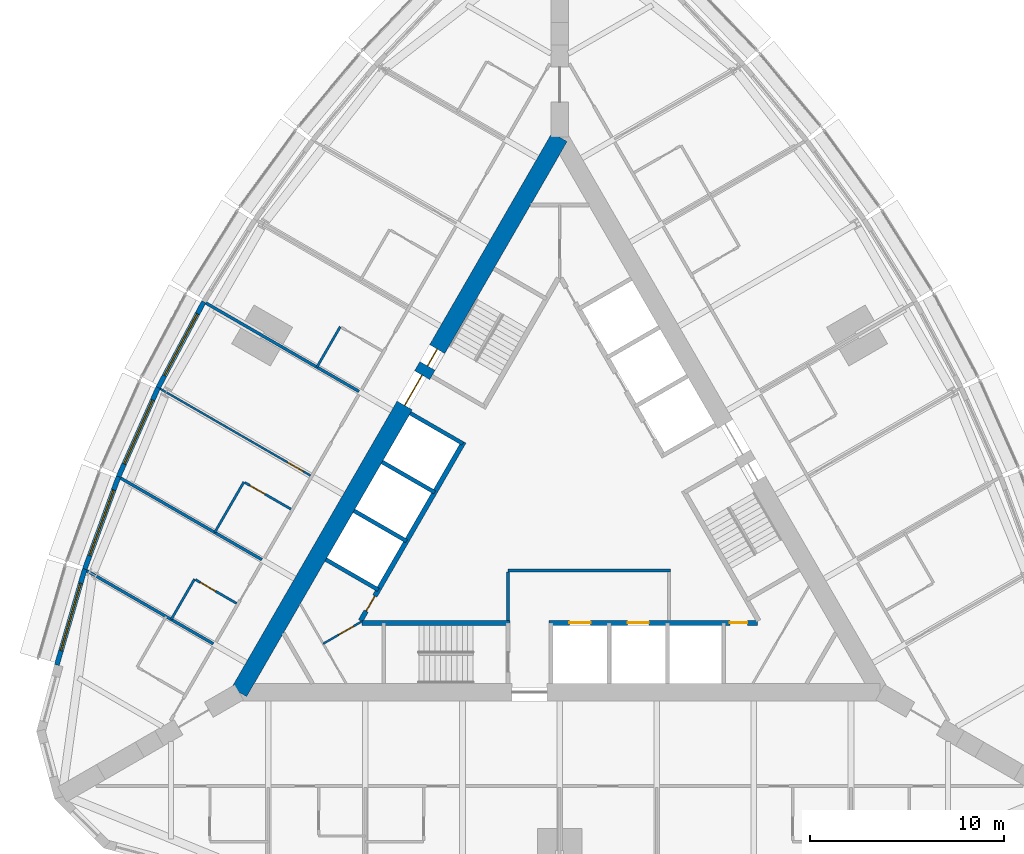
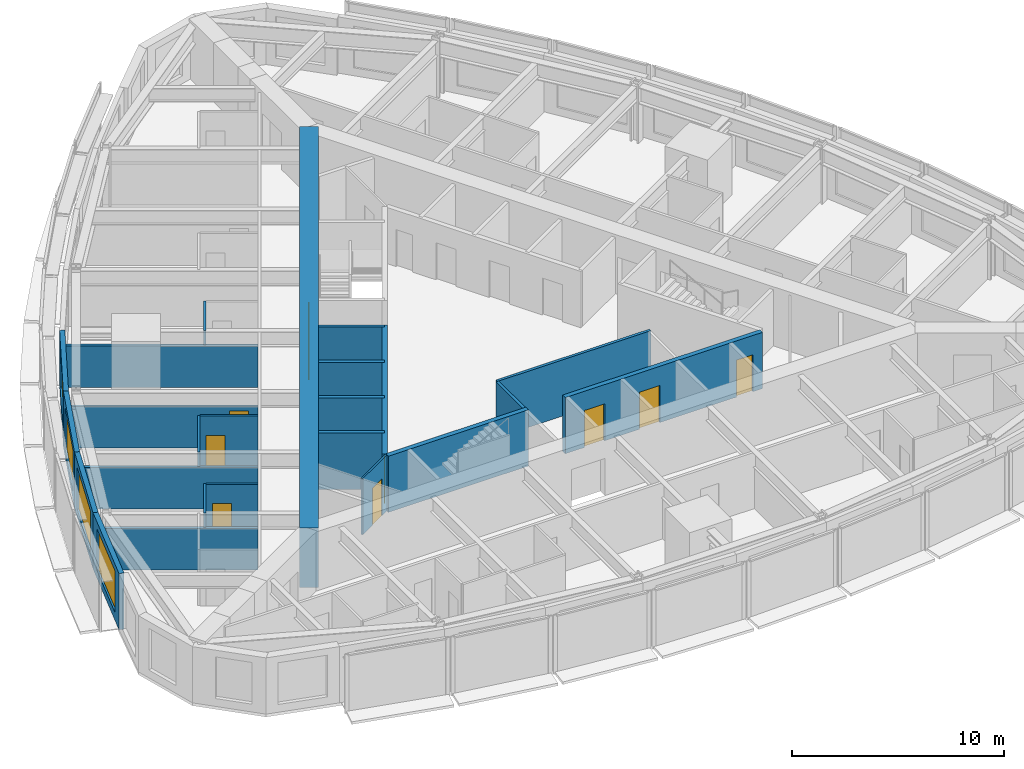
# One storey, part 9 of 14: 24 walls, 10 doors, 4 windows, 14 openings.
"""IFC4 building model written with IfcOpenShell, lengths in metres."""

from ifc_helpers import new_model, si_unit, direction, frame, frame_2d, origin, place, context, subcontext, project, spatial, rectangle, extrude, material, layer, layer_set, type_object, element, fill, save


model = new_model("IFC4")

# Units and contexts
model_context = context("Model", 3, precision=1e-05, world=origin(), true_north=direction((0.0, 1.0)))
body_context = subcontext(model_context, "Body", "Model", "MODEL_VIEW")
ifc_project = project(units=[si_unit("LENGTHUNIT", "METRE"), si_unit("AREAUNIT", "SQUARE_METRE"), si_unit("VOLUMEUNIT", "CUBIC_METRE"), si_unit("PLANEANGLEUNIT", "RADIAN"), si_unit("MASSUNIT", "GRAM", prefix="KILO")], contexts=[model_context])

# Site, building, storey
site_placement = place(None, origin())
site = spatial("IfcSite", under=ifc_project, at=site_placement, CompositionType="ELEMENT")
building_placement = place(site_placement, origin())
building = spatial("IfcBuilding", under=site, at=building_placement, Name="Trikona Tower", CompositionType="ELEMENT")
storey_placement = place(building_placement, frame((0.0, 0.0, 175.89990234375)))
storey = spatial("IfcBuildingStorey", under=building, at=storey_placement, Name="L47", CompositionType="ELEMENT", Elevation=175.89990234375)

# Walls
ifc_material_1 = material(Name="Metal stud and cement board", Category="gypsum")
ifc_layer_1 = layer(ifc_material_1, 0.1201171875)
ifc_layer_set_1 = layer_set([ifc_layer_1], Name="Bathroom wall 120")
wall_type_1 = type_object("IfcWallType", Name="Bathroom wall 120", PredefinedType="PLUMBINGWALL", material=ifc_layer_set_1)
wall_1_placement = place(storey_placement, frame((-11.29345703125, 9.29150390625, 0.0), z_axis=(0.0, 0.0, 1.0), x_axis=(-0.500001309137, -0.866024647952, 0.0)))
element("IfcWall", 1, at=wall_1_placement, inside=storey, type_object=wall_type_1, Name="Bathroom wall 4712", PredefinedType="PLUMBINGWALL", context=body_context, shape_type="SweptSolid", body=[
    extrude(rectangle(XDim=2.39990234375, YDim=0.1201171875, at=frame_2d((1.199951171875, 0.0))), origin(), (0.0, 0.0, 1.0), 3.235107421875),
])
wall_2_placement = place(storey_placement, frame((-16.25341796875, 1.301025390625, 0.0), z_axis=(0.0, 0.0, 1.0), x_axis=(-0.499990139034, -0.866031096941, 0.0)))
element("IfcWall", 2, at=wall_2_placement, inside=storey, type_object=wall_type_1, Name="Bathroom wall 4713.1", PredefinedType="PLUMBINGWALL", context=body_context, shape_type="SweptSolid", body=[
    extrude(rectangle(XDim=3.0, YDim=0.1201171875, at=frame_2d((1.5, 0.0))), origin(), (0.0, 0.0, 1.0), 3.235107421875),
])

# Wall, opening, door
wall_3_placement = place(storey_placement, frame((-13.82861328125, -0.09912109375, 0.0), z_axis=(0.0, 0.0, 1.0), x_axis=(-0.865997131366, 0.500048966069, 0.0)))
wall_3 = element("IfcWall", 3, at=wall_3_placement, inside=storey, type_object=wall_type_1, Name="Bathroom wall 4713.1", PredefinedType="PLUMBINGWALL", context=body_context, shape_type="SweptSolid", body=[
    extrude(rectangle(XDim=2.739990234375, YDim=0.1201171875, at=frame_2d((1.3701171875, 0.0))), origin(), (0.0, 0.0, 1.0), 3.235107421875),
])
opening_1_placement = place(wall_3_placement, frame((1.550048828125, 0.0, 0.0)))
opening_1 = element("IfcOpeningElement", 4, at=opening_1_placement, cuts=wall_3, Name="Opening D2", PredefinedType="OPENING", context=body_context, shape_type="SweptSolid", body=[
    extrude(rectangle(XDim=0.89990234375, YDim=2.1298828125, at=frame_2d((0.449951171875, 1.06494140625))), frame((0.0, 0.070068359375, 0.0), z_axis=(0.0, -1.0, 0.0), x_axis=(1.0, 0.0, 0.0)), (0.0, 0.0, 1.0), 0.14013671875),
])
ifc_material_2 = material(Name="Steel door frame with solid-core timber leaf", Category="steel")
door_type_1 = type_object("IfcDoorType", Name="Bathroom door 900x2130", OperationType="SLIDING_TO_LEFT", PredefinedType="DOOR", material=ifc_material_2)
door_1_placement = place(opening_1_placement, origin())
door_1 = element("IfcDoor", 5, at=door_1_placement, inside=storey, type_object=door_type_1, Name="Bathroom door 4713.1", OperationType="SLIDING_TO_LEFT", OverallHeight=2.1298828125, OverallWidth=0.89990234375, PredefinedType="DOOR", context=body_context, shape_type="SweptSolid", body=[
    extrude(rectangle(XDim=0.89990234375, YDim=2.1298828125, at=frame_2d((0.449951171875, 1.06494140625))), frame((0.0, 0.02490234375, 0.0), z_axis=(0.0, -1.0, 0.0), x_axis=(1.0, 0.0, 0.0)), (0.0, 0.0, 1.0), 0.050048828125),
])
fill(opening_1, door_1)

# Wall
wall_4_placement = place(storey_placement, frame((-18.79345703125, -3.69873046875, 0.0), z_axis=(0.0, 0.0, 1.0), x_axis=(-0.500001309137, -0.866024647952, 0.0)))
element("IfcWall", 6, at=wall_4_placement, inside=storey, type_object=wall_type_1, Name="Bathroom wall 4714", PredefinedType="PLUMBINGWALL", context=body_context, shape_type="SweptSolid", body=[
    extrude(rectangle(XDim=2.39990234375, YDim=0.1201171875, at=frame_2d((1.199951171875, 0.0))), origin(), (0.0, 0.0, 1.0), 3.235107421875),
])

# Wall, opening, door
wall_5_placement = place(storey_placement, frame((-16.62841796875, -4.94873046875, 0.0), z_axis=(0.0, 0.0, 1.0), x_axis=(-0.866048967903, 0.499959183527, 0.0)))
wall_5 = element("IfcWall", 7, at=wall_5_placement, inside=storey, type_object=wall_type_1, Name="Bathroom wall 4714", PredefinedType="PLUMBINGWALL", context=body_context, shape_type="SweptSolid", body=[
    extrude(rectangle(XDim=2.440185546875, YDim=0.1201171875, at=frame_2d((1.22021484375, 0.0))), origin(), (0.0, 0.0, 1.0), 3.235107421875),
])
opening_2_placement = place(wall_5_placement, frame((1.25, 0.0, 0.0)))
opening_2 = element("IfcOpeningElement", 8, at=opening_2_placement, cuts=wall_5, Name="Opening D2", PredefinedType="OPENING", context=body_context, shape_type="SweptSolid", body=[
    extrude(rectangle(XDim=0.89990234375, YDim=2.1298828125, at=frame_2d((0.449951171875, 1.06494140625))), frame((0.0, 0.070068359375, 0.0), z_axis=(0.0, -1.0, 0.0), x_axis=(1.0, 0.0, 0.0)), (0.0, 0.0, 1.0), 0.14013671875),
])
door_2_placement = place(opening_2_placement, origin())
door_2 = element("IfcDoor", 9, at=door_2_placement, inside=storey, type_object=door_type_1, Name="Bathroom door 4714", OperationType="SLIDING_TO_LEFT", OverallHeight=2.1298828125, OverallWidth=0.89990234375, PredefinedType="DOOR", context=body_context, shape_type="SweptSolid", body=[
    extrude(rectangle(XDim=0.89990234375, YDim=2.1298828125, at=frame_2d((0.449951171875, 1.06494140625))), frame((0.0, 0.02490234375, 0.0), z_axis=(0.0, -1.0, 0.0), x_axis=(1.0, 0.0, 0.0)), (0.0, 0.0, 1.0), 0.050048828125),
])
fill(opening_2, door_2)

# Wall, openings, doors
ifc_material_3 = material(Name="Concrete f'c 10000 psi", Category="concrete")
ifc_layer_2 = layer(ifc_material_3, 0.89990234375)
ifc_layer_set_2 = layer_set([ifc_layer_2], Name="Core wall 900")
wall_type_2 = type_object("IfcWallType", Name="Core wall 900", PredefinedType="SHEAR", material=ifc_layer_set_2)
wall_6_placement = place(storey_placement, frame((0.0, 19.052490234375, 0.0), z_axis=(0.0, 0.0, 1.0), x_axis=(-0.499999749417, -0.866025548458, 0.0)))
wall_6 = element("IfcWall", 10, at=wall_6_placement, inside=storey, type_object=wall_type_2, Name="Core wall C", PredefinedType="SHEAR", context=body_context, shape_type="SweptSolid", body=[
    extrude(rectangle(XDim=33.0, YDim=0.89990234375, at=frame_2d((16.5, 0.0))), origin(), (0.0, 0.0, 1.0), 3.400146484375),
])
opening_3_placement = place(wall_6_placement, frame((14.14990234375, 0.0, 0.0)))
opening_3 = element("IfcOpeningElement", 11, at=opening_3_placement, cuts=wall_6, Name="Opening D6", PredefinedType="OPENING", context=body_context, shape_type="SweptSolid", body=[
    extrude(rectangle(XDim=1.800048828125, YDim=2.1298828125, at=frame_2d((0.89990234375, 1.06494140625))), frame((0.0, 0.4599609375, 0.0), z_axis=(0.0, -1.0, 0.0), x_axis=(1.0, 0.0, 0.0)), (0.0, 0.0, 1.0), 0.919921875),
])
opening_4_placement = place(wall_6_placement, frame((12.60009765625, 0.0, 0.0)))
opening_4 = element("IfcOpeningElement", 12, at=opening_4_placement, cuts=wall_6, Name="Opening D5", PredefinedType="OPENING", context=body_context, shape_type="SweptSolid", body=[
    extrude(rectangle(XDim=1.0, YDim=2.1298828125, at=frame_2d((0.5, 1.06494140625))), frame((0.0, 0.4599609375, 0.0), z_axis=(0.0, -1.0, 0.0), x_axis=(1.0, 0.0, 0.0)), (0.0, 0.0, 1.0), 0.919921875),
])
ifc_material_4 = material(Name="Hollow metal door and frame", Category="steel")
door_type_2 = type_object("IfcDoorType", Name="Lobby door pair 1800x2130", OperationType="DOUBLE_DOOR_SINGLE_SWING", PredefinedType="DOOR", material=ifc_material_4)
door_3_placement = place(opening_3_placement, origin())
door_3 = element("IfcDoor", 13, at=door_3_placement, inside=storey, type_object=door_type_2, Name="Lift lobby door C", OperationType="DOUBLE_DOOR_SINGLE_SWING", OverallHeight=2.1298828125, OverallWidth=1.800048828125, PredefinedType="DOOR", context=body_context, shape_type="SweptSolid", body=[
    extrude(rectangle(XDim=1.800048828125, YDim=2.1298828125, at=frame_2d((0.89990234375, 1.06494140625))), frame((0.0, 0.02490234375, 0.0), z_axis=(0.0, -1.0, 0.0), x_axis=(1.0, 0.0, 0.0)), (0.0, 0.0, 1.0), 0.050048828125),
])
fill(opening_3, door_3)
ifc_material_5 = material(Name="Hollow metal door and frame", Category="steel")
door_type_3 = type_object("IfcDoorType", Name="Stair door 1000x2130", OperationType="SINGLE_SWING_LEFT", PredefinedType="DOOR", material=ifc_material_5)
door_4_placement = place(opening_4_placement, origin())
door_4 = element("IfcDoor", 14, at=door_4_placement, inside=storey, type_object=door_type_3, Name="Stair C door", OperationType="SINGLE_SWING_RIGHT", OverallHeight=2.1298828125, OverallWidth=1.0, PredefinedType="DOOR", context=body_context, shape_type="SweptSolid", body=[
    extrude(rectangle(XDim=1.0, YDim=2.1298828125, at=frame_2d((0.5, 1.06494140625))), frame((0.0, 0.02490234375, 0.0), z_axis=(0.0, -1.0, 0.0), x_axis=(1.0, 0.0, 0.0)), (0.0, 0.0, 1.0), 0.050048828125),
])
fill(opening_4, door_4)

# Wall
ifc_material_6 = material(Name="Concrete f'c 8000 psi", Category="concrete")
ifc_layer_3 = layer(ifc_material_6, 0.25)
ifc_layer_set_3 = layer_set([ifc_layer_3], Name="Hub wall 250")
wall_type_3 = type_object("IfcWallType", Name="Hub wall 250", PredefinedType="SOLIDWALL", material=ifc_layer_set_3)
wall_7_placement = place(storey_placement, frame((-10.182861328125, -5.951416015625, 0.0), z_axis=(0.0, 0.0, 1.0), x_axis=(1.0, 0.0, 0.0)))
element("IfcWall", 15, at=wall_7_placement, inside=storey, type_object=wall_type_3, Name="Lift lobby wall A1", PredefinedType="SOLIDWALL", context=body_context, shape_type="SweptSolid", body=[
    extrude(rectangle(XDim=7.6328125, YDim=0.25, at=frame_2d((3.81640625, 0.0))), origin(), (0.0, 0.0, 1.0), 3.235107421875),
])

# Wall, openings, doors
wall_8_placement = place(storey_placement, frame((-0.550048828125, -5.951416015625, 0.0), z_axis=(0.0, 0.0, 1.0), x_axis=(1.0, 0.0, 0.0)))
wall_8 = element("IfcWall", 16, at=wall_8_placement, inside=storey, type_object=wall_type_3, Name="Lift lobby wall A2", PredefinedType="SOLIDWALL", context=body_context, shape_type="SweptSolid", body=[
    extrude(rectangle(XDim=10.73291015625, YDim=0.25, at=frame_2d((5.366455078125, 0.0))), origin(), (0.0, 0.0, 1.0), 3.235107421875),
])
opening_5_placement = place(wall_8_placement, frame((9.31396484375, 0.0, 0.0)))
opening_5 = element("IfcOpeningElement", 17, at=opening_5_placement, cuts=wall_8, Name="Opening D14", PredefinedType="OPENING", context=body_context, shape_type="SweptSolid", body=[
    extrude(rectangle(XDim=0.89990234375, YDim=2.1298828125, at=frame_2d((0.449951171875, 1.06494140625))), frame((0.0, 0.135009765625, 0.0), z_axis=(0.0, -1.0, 0.0), x_axis=(1.0, 0.0, 0.0)), (0.0, 0.0, 1.0), 0.27001953125),
])
opening_6_placement = place(wall_8_placement, frame((1.050048828125, 0.0, 0.0)))
opening_6 = element("IfcOpeningElement", 18, at=opening_6_placement, cuts=wall_8, Name="Opening LD", PredefinedType="OPENING", context=body_context, shape_type="SweptSolid", body=[
    extrude(rectangle(XDim=1.10009765625, YDim=2.1298828125, at=frame_2d((0.550048828125, 1.06494140625))), frame((0.0, 0.135009765625, 0.0), z_axis=(0.0, -1.0, 0.0), x_axis=(1.0, 0.0, 0.0)), (0.0, 0.0, 1.0), 0.27001953125),
])
opening_7_placement = place(wall_8_placement, frame((4.050048828125, 0.0, 0.0)))
opening_7 = element("IfcOpeningElement", 19, at=opening_7_placement, cuts=wall_8, Name="Opening LD", PredefinedType="OPENING", context=body_context, shape_type="SweptSolid", body=[
    extrude(rectangle(XDim=1.10009765625, YDim=2.1298828125, at=frame_2d((0.550048828125, 1.06494140625))), frame((0.0, 0.135009765625, 0.0), z_axis=(0.0, -1.0, 0.0), x_axis=(1.0, 0.0, 0.0)), (0.0, 0.0, 1.0), 0.27001953125),
])
ifc_material_7 = material(Name="Stainless steel lift landing door", Category="steel")
door_type_4 = type_object("IfcDoorType", Name="Lift landing door 1100x2130", OperationType="DOUBLE_DOOR_SLIDING", PredefinedType="USERDEFINED", material=ifc_material_7)
door_5_placement = place(opening_6_placement, origin())
door_5 = element("IfcDoor", 20, at=door_5_placement, inside=storey, type_object=door_type_4, Name="Lift landing door FF1", ObjectType="LIFT LANDING DOOR", OperationType="DOUBLE_DOOR_SLIDING", OverallHeight=2.1298828125, OverallWidth=1.10009765625, PredefinedType="USERDEFINED", context=body_context, shape_type="SweptSolid", body=[
    extrude(rectangle(XDim=1.10009765625, YDim=2.1298828125, at=frame_2d((0.550048828125, 1.06494140625))), frame((0.0, 0.02490234375, 0.0), z_axis=(0.0, -1.0, 0.0), x_axis=(1.0, 0.0, 0.0)), (0.0, 0.0, 1.0), 0.050048828125),
])
fill(opening_6, door_5)
door_6_placement = place(opening_7_placement, origin())
door_6 = element("IfcDoor", 21, at=door_6_placement, inside=storey, type_object=door_type_4, Name="Lift landing door FF2", ObjectType="LIFT LANDING DOOR", OperationType="DOUBLE_DOOR_SLIDING", OverallHeight=2.1298828125, OverallWidth=1.10009765625, PredefinedType="USERDEFINED", context=body_context, shape_type="SweptSolid", body=[
    extrude(rectangle(XDim=1.10009765625, YDim=2.1298828125, at=frame_2d((0.550048828125, 1.06494140625))), frame((0.0, 0.02490234375, 0.0), z_axis=(0.0, -1.0, 0.0), x_axis=(1.0, 0.0, 0.0)), (0.0, 0.0, 1.0), 0.050048828125),
])
fill(opening_7, door_6)
ifc_material_8 = material(Name="Hollow metal door and frame", Category="steel")
door_type_5 = type_object("IfcDoorType", Name="Service room door 900x2130", OperationType="SINGLE_SWING_LEFT", PredefinedType="DOOR", material=ifc_material_8)
door_7_placement = place(opening_5_placement, origin())
door_7 = element("IfcDoor", 22, at=door_7_placement, inside=storey, type_object=door_type_5, Name="Door Ice and vending ICE", OperationType="SINGLE_SWING_RIGHT", OverallHeight=2.1298828125, OverallWidth=0.89990234375, PredefinedType="DOOR", context=body_context, shape_type="SweptSolid", body=[
    extrude(rectangle(XDim=0.89990234375, YDim=2.1298828125, at=frame_2d((0.449951171875, 1.06494140625))), frame((0.0, 0.02490234375, 0.0), z_axis=(0.0, -1.0, 0.0), x_axis=(1.0, 0.0, 0.0)), (0.0, 0.0, 1.0), 0.050048828125),
])
fill(opening_5, door_7)

# Wall, opening, door
wall_9_placement = place(storey_placement, frame((-4.928955078125, 3.365478515625, 0.0), z_axis=(0.0, 0.0, 1.0), x_axis=(-0.499991433582, -0.866030349552, 0.0)))
wall_9 = element("IfcWall", 23, at=wall_9_placement, inside=storey, type_object=wall_type_3, Name="Lift lobby wall C2", PredefinedType="SOLIDWALL", context=body_context, shape_type="SweptSolid", body=[
    extrude(rectangle(XDim=10.633056640625, YDim=0.25, at=frame_2d((5.31640625, 0.0))), origin(), (0.0, 0.0, 1.0), 3.235107421875),
])
opening_8_placement = place(wall_9_placement, frame((9.1640625, 0.0, 0.0)))
opening_8 = element("IfcOpeningElement", 24, at=opening_8_placement, cuts=wall_9, Name="Opening D14", PredefinedType="OPENING", context=body_context, shape_type="SweptSolid", body=[
    extrude(rectangle(XDim=0.89990234375, YDim=2.1298828125, at=frame_2d((0.449951171875, 1.06494140625))), frame((0.0, 0.135009765625, 0.0), z_axis=(0.0, -1.0, 0.0), x_axis=(1.0, 0.0, 0.0)), (0.0, 0.0, 1.0), 0.27001953125),
])
door_8_placement = place(opening_8_placement, origin())
door_8 = element("IfcDoor", 25, at=door_8_placement, inside=storey, type_object=door_type_5, Name="Door Housekeeping store HKS", OperationType="SINGLE_SWING_RIGHT", OverallHeight=2.1298828125, OverallWidth=0.89990234375, PredefinedType="DOOR", context=body_context, shape_type="SweptSolid", body=[
    extrude(rectangle(XDim=0.89990234375, YDim=2.1298828125, at=frame_2d((0.449951171875, 1.06494140625))), frame((0.0, 0.02490234375, 0.0), z_axis=(0.0, -1.0, 0.0), x_axis=(1.0, 0.0, 0.0)), (0.0, 0.0, 1.0), 0.050048828125),
])
fill(opening_8, door_8)

# Wall, opening, window
ifc_material_9 = material(Name="Insulated precast concrete spandrel panel", Category="concrete")
ifc_layer_4 = layer(ifc_material_9, 0.25)
ifc_layer_set_4 = layer_set([ifc_layer_4], Name="Inner skin wall 250")
wall_type_4 = type_object("IfcWallType", Name="Inner skin wall 250", PredefinedType="STANDARD", material=ifc_layer_set_4)
wall_10_placement = place(storey_placement, frame((-18.314453125, 10.578857421875, 0.0), z_axis=(0.0, 0.0, 1.0), x_axis=(-0.469404966864, -0.882982999317, 0.0)))
wall_10 = element("IfcWall", 26, at=wall_10_placement, inside=storey, type_object=wall_type_4, Name="External wall L47-28", PredefinedType="STANDARD", context=body_context, shape_type="SweptSolid", body=[
    extrude(rectangle(XDim=5.0029296875, YDim=0.25, at=frame_2d((2.50146484375, 0.0))), origin(), (0.0, 0.0, 1.0), 3.235107421875),
])
opening_9_placement = place(wall_10_placement, frame((0.701416015625, 0.0, 0.449951171875)))
opening_9 = element("IfcOpeningElement", 27, at=opening_9_placement, cuts=wall_10, Name="Opening W3624", PredefinedType="OPENING", context=body_context, shape_type="SweptSolid", body=[
    extrude(rectangle(XDim=3.60009765625, YDim=2.39990234375, at=frame_2d((1.800048828125, 1.199951171875))), frame((0.0, 0.135009765625, 0.0), z_axis=(0.0, -1.0, 0.0), x_axis=(1.0, 0.0, 0.0)), (0.0, 0.0, 1.0), 0.27001953125),
])
ifc_material_10 = material(Name="Aluminium-framed double glazing", Category="aluminium")
window_type = type_object("IfcWindowType", Name="Window 3600x2400", PartitioningType="SINGLE_PANEL", PredefinedType="WINDOW", material=ifc_material_10)
window_1_placement = place(opening_9_placement, origin())
window_1 = element("IfcWindow", 28, at=window_1_placement, inside=storey, type_object=window_type, Name="Window 4713", OverallHeight=2.39990234375, OverallWidth=3.60009765625, PartitioningType="SINGLE_PANEL", PredefinedType="WINDOW", context=body_context, shape_type="SweptSolid", body=[
    extrude(rectangle(XDim=3.60009765625, YDim=2.39990234375, at=frame_2d((1.800048828125, 1.199951171875))), frame((0.0, 0.030029296875, 0.0), z_axis=(0.0, -1.0, 0.0), x_axis=(1.0, 0.0, 0.0)), (0.0, 0.0, 1.0), 0.06005859375),
])
fill(opening_9, window_1)

wall_11_placement = place(storey_placement, frame((-20.6591796875, 6.169189453125, 0.0), z_axis=(0.0, 0.0, 1.0), x_axis=(-0.406832200364, -0.913502906808, 0.0)))
wall_11 = element("IfcWall", 29, at=wall_11_placement, inside=storey, type_object=wall_type_4, Name="External wall L47-29", PredefinedType="STANDARD", context=body_context, shape_type="SweptSolid", body=[
    extrude(rectangle(XDim=5.027587890625, YDim=0.25, at=frame_2d((2.513671875, 0.0))), origin(), (0.0, 0.0, 1.0), 3.235107421875),
])
opening_10_placement = place(wall_11_placement, frame((0.713623046875, 0.0, 0.449951171875)))
opening_10 = element("IfcOpeningElement", 30, at=opening_10_placement, cuts=wall_11, Name="Opening W3624", PredefinedType="OPENING", context=body_context, shape_type="SweptSolid", body=[
    extrude(rectangle(XDim=3.60009765625, YDim=2.39990234375, at=frame_2d((1.800048828125, 1.199951171875))), frame((0.0, 0.135009765625, 0.0), z_axis=(0.0, -1.0, 0.0), x_axis=(1.0, 0.0, 0.0)), (0.0, 0.0, 1.0), 0.27001953125),
])
window_2_placement = place(opening_10_placement, origin())
window_2 = element("IfcWindow", 31, at=window_2_placement, inside=storey, type_object=window_type, Name="Window 4713.1", OverallHeight=2.39990234375, OverallWidth=3.60009765625, PartitioningType="SINGLE_PANEL", PredefinedType="WINDOW", context=body_context, shape_type="SweptSolid", body=[
    extrude(rectangle(XDim=3.60009765625, YDim=2.39990234375, at=frame_2d((1.800048828125, 1.199951171875))), frame((0.0, 0.030029296875, 0.0), z_axis=(0.0, -1.0, 0.0), x_axis=(1.0, 0.0, 0.0)), (0.0, 0.0, 1.0), 0.06005859375),
])
fill(opening_10, window_2)

wall_12_placement = place(storey_placement, frame((-22.701416015625, 1.58447265625, 0.0), z_axis=(0.0, 0.0, 1.0), x_axis=(-0.343225593282, -0.939252996863, 0.0)))
wall_12 = element("IfcWall", 32, at=wall_12_placement, inside=storey, type_object=wall_type_4, Name="External wall L47-30", PredefinedType="STANDARD", context=body_context, shape_type="SweptSolid", body=[
    extrude(rectangle(XDim=5.075927734375, YDim=0.25, at=frame_2d((2.5380859375, 0.0))), origin(), (0.0, 0.0, 1.0), 3.235107421875),
])
opening_11_placement = place(wall_12_placement, frame((0.738037109375, 0.0, 0.449951171875)))
opening_11 = element("IfcOpeningElement", 33, at=opening_11_placement, cuts=wall_12, Name="Opening W3624", PredefinedType="OPENING", context=body_context, shape_type="SweptSolid", body=[
    extrude(rectangle(XDim=3.60009765625, YDim=2.39990234375, at=frame_2d((1.800048828125, 1.199951171875))), frame((0.0, 0.135009765625, 0.0), z_axis=(0.0, -1.0, 0.0), x_axis=(1.0, 0.0, 0.0)), (0.0, 0.0, 1.0), 0.27001953125),
])
window_3_placement = place(opening_11_placement, origin())
window_3 = element("IfcWindow", 34, at=window_3_placement, inside=storey, type_object=window_type, Name="Window 4714", OverallHeight=2.39990234375, OverallWidth=3.60009765625, PartitioningType="SINGLE_PANEL", PredefinedType="WINDOW", context=body_context, shape_type="SweptSolid", body=[
    extrude(rectangle(XDim=3.60009765625, YDim=2.39990234375, at=frame_2d((1.800048828125, 1.199951171875))), frame((0.0, 0.030029296875, 0.0), z_axis=(0.0, -1.0, 0.0), x_axis=(1.0, 0.0, 0.0)), (0.0, 0.0, 1.0), 0.06005859375),
])
fill(opening_11, window_3)

wall_13_placement = place(storey_placement, frame((-24.44091796875, -3.17529296875, 0.0), z_axis=(0.0, 0.0, 1.0), x_axis=(-0.279528287117, -0.960137457191, 0.0)))
wall_13 = element("IfcWall", 35, at=wall_13_placement, inside=storey, type_object=wall_type_4, Name="External wall L47-31", PredefinedType="STANDARD", context=body_context, shape_type="SweptSolid", body=[
    extrude(rectangle(XDim=5.14794921875, YDim=0.25, at=frame_2d((2.573974609375, 0.0))), origin(), (0.0, 0.0, 1.0), 3.235107421875),
])
opening_12_placement = place(wall_13_placement, frame((0.77392578125, 0.0, 0.449951171875)))
opening_12 = element("IfcOpeningElement", 36, at=opening_12_placement, cuts=wall_13, Name="Opening W3624", PredefinedType="OPENING", context=body_context, shape_type="SweptSolid", body=[
    extrude(rectangle(XDim=3.60009765625, YDim=2.39990234375, at=frame_2d((1.800048828125, 1.199951171875))), frame((0.0, 0.135009765625, 0.0), z_axis=(0.0, -1.0, 0.0), x_axis=(1.0, 0.0, 0.0)), (0.0, 0.0, 1.0), 0.27001953125),
])
window_4_placement = place(opening_12_placement, origin())
window_4 = element("IfcWindow", 37, at=window_4_placement, inside=storey, type_object=window_type, Name="Window 4715", OverallHeight=2.39990234375, OverallWidth=3.60009765625, PartitioningType="SINGLE_PANEL", PredefinedType="WINDOW", context=body_context, shape_type="SweptSolid", body=[
    extrude(rectangle(XDim=3.60009765625, YDim=2.39990234375, at=frame_2d((1.800048828125, 1.199951171875))), frame((0.0, 0.030029296875, 0.0), z_axis=(0.0, -1.0, 0.0), x_axis=(1.0, 0.0, 0.0)), (0.0, 0.0, 1.0), 0.06005859375),
])
fill(opening_12, window_4)

# Walls
ifc_material_11 = material(Name="Metal stud and gypsum board, 2-hour shaft wall", Category="gypsum")
ifc_layer_5 = layer(ifc_material_11, 0.14990234375)
ifc_layer_set_5 = layer_set([ifc_layer_5], Name="Lobby wall 150")
wall_type_5 = type_object("IfcWallType", Name="Lobby wall 150", PredefinedType="PARTITIONING", material=ifc_layer_set_5)
wall_14_placement = place(storey_placement, frame((-2.64990234375, -3.251220703125, 0.0), z_axis=(0.0, 0.0, 1.0), x_axis=(1.0, 0.0, 0.0)))
element("IfcWall", 38, at=wall_14_placement, inside=storey, type_object=wall_type_5, Name="Fire service lift lobby wall 1", PredefinedType="PARTITIONING", context=body_context, shape_type="SweptSolid", body=[
    extrude(rectangle(XDim=8.349853515625, YDim=0.14990234375, at=frame_2d((4.1748046875, 0.0))), origin(), (0.0, 0.0, 1.0), 3.235107421875),
])
wall_15_placement = place(storey_placement, frame((-2.64990234375, -5.826416015625, 0.0), z_axis=(0.0, 0.0, 1.0), x_axis=(0.0, 1.0, 0.0)))
element("IfcWall", 39, at=wall_15_placement, inside=storey, type_object=wall_type_5, Name="Fire service lift lobby wall 2", PredefinedType="PARTITIONING", context=body_context, shape_type="SweptSolid", body=[
    extrude(rectangle(XDim=2.5, YDim=0.14990234375, at=frame_2d((1.25, 0.0))), origin(), (0.0, 0.0, 1.0), 3.235107421875),
])
ifc_material_12 = material(Name="Metal stud and gypsum board, 1-hour acoustic", Category="gypsum")
ifc_layer_6 = layer(ifc_material_12, 0.14990234375)
ifc_layer_set_6 = layer_set([ifc_layer_6], Name="Party wall 150")
wall_type_6 = type_object("IfcWallType", Name="Party wall 150", PredefinedType="PARTITIONING", material=ifc_layer_set_6)
wall_16_placement = place(storey_placement, frame((-10.32861328125, 5.963134765625, 0.0), z_axis=(0.0, 0.0, 1.0), x_axis=(-0.866025170687, 0.500000403736, 0.0)))
element("IfcWall", 40, at=wall_16_placement, inside=storey, type_object=wall_type_6, Name="Partition L47 F3 u0", PredefinedType="PARTITIONING", context=body_context, shape_type="SweptSolid", body=[
    extrude(rectangle(XDim=9.0986328125, YDim=0.14990234375, at=frame_2d((4.54931640625, 0.0))), origin(), (0.0, 0.0, 1.0), 2.389404296875),
])
wall_17_placement = place(storey_placement, frame((-15.32861328125, -2.697021484375, 0.0), z_axis=(0.0, 0.0, 1.0), x_axis=(-0.866024316602, 0.50000188305, 0.0)))
element("IfcWall", 41, at=wall_17_placement, inside=storey, type_object=wall_type_6, Name="Partition L47 F3 u10", PredefinedType="PARTITIONING", context=body_context, shape_type="SweptSolid", body=[
    extrude(rectangle(XDim=8.39501953125, YDim=0.14990234375, at=frame_2d((4.197509765625, 0.0))), origin(), (0.0, 0.0, 1.0), 2.389404296875),
])
wall_18_placement = place(storey_placement, frame((-17.82861328125, -7.027099609375, 0.0), z_axis=(0.0, 0.0, 1.0), x_axis=(-0.866029804378, 0.499992377871, 0.0)))
element("IfcWall", 42, at=wall_18_placement, inside=storey, type_object=wall_type_6, Name="Partition L47 F3 u15", PredefinedType="PARTITIONING", context=body_context, shape_type="SweptSolid", body=[
    extrude(rectangle(XDim=7.51611328125, YDim=0.14990234375, at=frame_2d((3.758056640625, 0.0))), origin(), (0.0, 0.0, 1.0), 2.389404296875),
])
ifc_material_13 = material(Name="Concrete f'c 8000 psi", Category="concrete")
ifc_layer_7 = layer(ifc_material_13, 0.199951171875)
ifc_layer_set_7 = layer_set([ifc_layer_7], Name="Shaft wall 200")
wall_type_7 = type_object("IfcWallType", Name="Shaft wall 200", PredefinedType="SOLIDWALL", material=ifc_layer_set_7)
for number, where, z_axis, x_axis, name in (
    (43, (-4.97900390625, 3.27880859375, 0.0), (0.0, 0.0, 1.0), (-0.866022959057, 0.500004234368, 0.0), "Shaft wall C3"),
    (44, (-6.428955078125, 0.767333984375, 0.0), (0.0, 0.0, 1.0), (-0.866022959057, 0.500004234368, 0.0), "Shaft wall C4"),
    (45, (-7.87890625, -1.744140625, 0.0), (0.0, 0.0, 1.0), (-0.866022959057, 0.500004234368, 0.0), "Shaft wall C5"),
    (46, (-9.3291015625, -4.255615234375, 0.0), (0.0, 0.0, 1.0), (-0.866022959057, 0.500004234368, 0.0), "Shaft wall C6"),
):
    element("IfcWall", number, at=place(storey_placement, frame(where, z_axis=z_axis, x_axis=x_axis)), inside=storey, type_object=wall_type_7, Name=name, PredefinedType="SOLIDWALL", context=body_context, shape_type="SweptSolid", body=[
        extrude(rectangle(XDim=3.125, YDim=0.199951171875, at=frame_2d((1.5625, 0.0))), origin(), (0.0, 0.0, 1.0), 3.235107421875),
    ])

# Wall, opening, door
ifc_material_14 = material(Name="Metal stud and gypsum board, acoustic", Category="gypsum")
ifc_layer_8 = layer(ifc_material_14, 0.10009765625)
ifc_layer_set_8 = layer_set([ifc_layer_8], Name="Suite partition 100")
wall_type_8 = type_object("IfcWallType", Name="Suite partition 100", PredefinedType="PARTITIONING", material=ifc_layer_set_8)
wall_19_placement = place(storey_placement, frame((-12.82861328125, 1.633056640625, 0.0), z_axis=(0.0, 0.0, 1.0), x_axis=(-0.866027015393, 0.499997208602, 0.0)))
wall_19 = element("IfcWall", 47, at=wall_19_placement, inside=storey, type_object=wall_type_8, Name="Suite partition L47 F3 u5", PredefinedType="PARTITIONING", context=body_context, shape_type="SweptSolid", body=[
    extrude(rectangle(XDim=8.92236328125, YDim=0.10009765625, at=frame_2d((4.461181640625, 0.0))), origin(), (0.0, 0.0, 1.0), 2.389404296875),
])
opening_13_placement = place(wall_19_placement, frame((0.449951171875, 0.0, 0.0)))
opening_13 = element("IfcOpeningElement", 48, at=opening_13_placement, cuts=wall_19, Name="Opening D13", PredefinedType="OPENING", context=body_context, shape_type="SweptSolid", body=[
    extrude(rectangle(XDim=0.89990234375, YDim=2.1298828125, at=frame_2d((0.449951171875, 1.06494140625))), frame((0.0, 0.06005859375, 0.0), z_axis=(0.0, -1.0, 0.0), x_axis=(1.0, 0.0, 0.0)), (0.0, 0.0, 1.0), 0.1201171875),
])
ifc_material_15 = material(Name="Steel door frame with solid-core timber leaf", Category="steel")
door_type_6 = type_object("IfcDoorType", Name="Suite door 900x2130", OperationType="SINGLE_SWING_LEFT", PredefinedType="DOOR", material=ifc_material_15)
door_9_placement = place(opening_13_placement, origin())
door_9 = element("IfcDoor", 49, at=door_9_placement, inside=storey, type_object=door_type_6, Name="Suite door 4713", OperationType="SINGLE_SWING_LEFT", OverallHeight=2.1298828125, OverallWidth=0.89990234375, PredefinedType="DOOR", context=body_context, shape_type="SweptSolid", body=[
    extrude(rectangle(XDim=0.89990234375, YDim=2.1298828125, at=frame_2d((0.449951171875, 1.06494140625))), frame((0.0, 0.02490234375, 0.0), z_axis=(0.0, -1.0, 0.0), x_axis=(1.0, 0.0, 0.0)), (0.0, 0.0, 1.0), 0.050048828125),
])
fill(opening_13, door_9)

wall_20_placement = place(storey_placement, frame((-12.169921875, -7.0263671875, 0.0), z_axis=(0.0, 0.0, 1.0), x_axis=(0.866015833478, 0.50001657589, 0.0)))
wall_20 = element("IfcWall", 50, at=wall_20_placement, inside=storey, type_object=wall_type_8, Name="Store partition L47-RS3", PredefinedType="PARTITIONING", context=body_context, shape_type="SweptSolid", body=[
    extrude(rectangle(XDim=2.275390625, YDim=0.10009765625, at=frame_2d((1.1376953125, 0.0))), origin(), (0.0, 0.0, 1.0), 3.235107421875),
])
opening_14_placement = place(wall_20_placement, frame((0.9150390625, 0.0, 0.0)))
opening_14 = element("IfcOpeningElement", 51, at=opening_14_placement, cuts=wall_20, Name="Opening D15", PredefinedType="OPENING", context=body_context, shape_type="SweptSolid", body=[
    extrude(rectangle(XDim=0.89990234375, YDim=2.1298828125, at=frame_2d((0.449951171875, 1.06494140625))), frame((0.0, 0.06005859375, 0.0), z_axis=(0.0, -1.0, 0.0), x_axis=(1.0, 0.0, 0.0)), (0.0, 0.0, 1.0), 0.1201171875),
])
ifc_material_16 = material(Name="Steel door frame with solid-core timber leaf", Category="steel")
door_type_7 = type_object("IfcDoorType", Name="Store door 900x2130", OperationType="SINGLE_SWING_LEFT", PredefinedType="DOOR", material=ifc_material_16)
door_10_placement = place(opening_14_placement, origin())
door_10 = element("IfcDoor", 52, at=door_10_placement, inside=storey, type_object=door_type_7, Name="Door Luggage store LUG", OperationType="SINGLE_SWING_RIGHT", OverallHeight=2.1298828125, OverallWidth=0.89990234375, PredefinedType="DOOR", context=body_context, shape_type="SweptSolid", body=[
    extrude(rectangle(XDim=0.89990234375, YDim=2.1298828125, at=frame_2d((0.449951171875, 1.06494140625))), frame((0.0, 0.02490234375, 0.0), z_axis=(0.0, -1.0, 0.0), x_axis=(1.0, 0.0, 0.0)), (0.0, 0.0, 1.0), 0.050048828125),
])
fill(opening_14, door_10)

save(model, "model.ifc")
